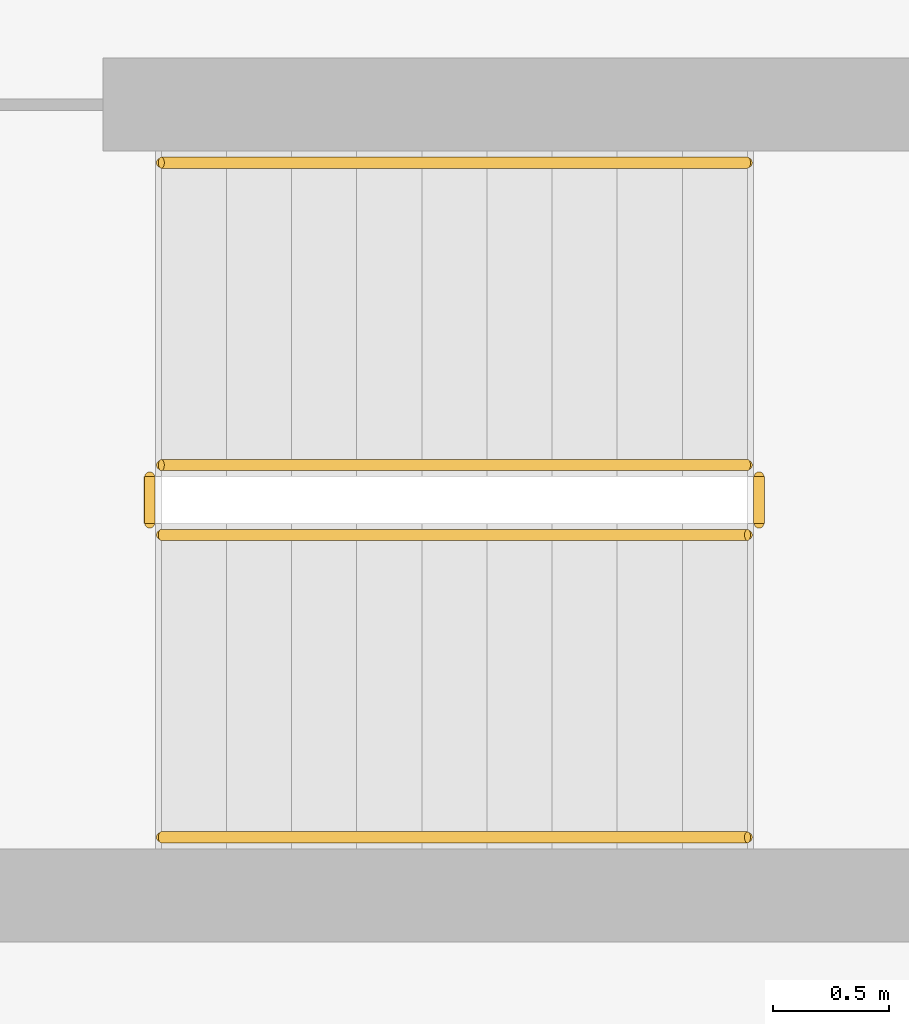
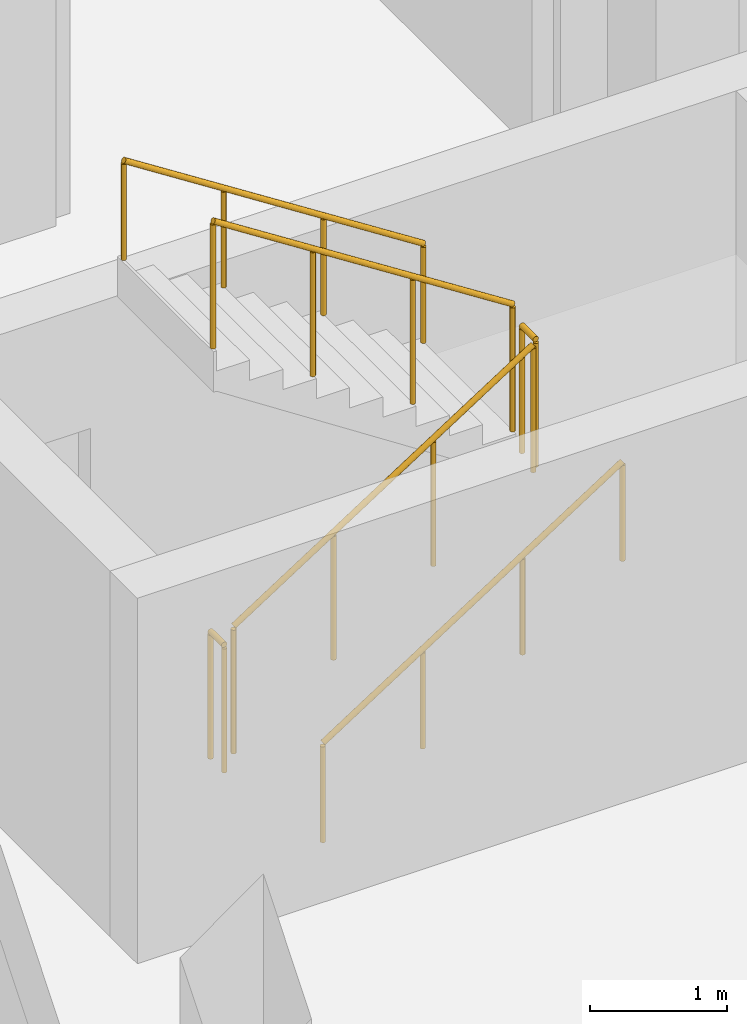
# One storey, part 8 of 11: 6 railings.
"""IFC4 building model written with IfcOpenShell, lengths in metres."""

from ifc_helpers import new_model, si_unit, direction, frame, origin, origin_2d, place, context, subcontext, project, spatial, circle, extrude, material, type_object, element, save


model = new_model("IFC4")

# Units and contexts
model_context = context("Model", 3, precision=1e-05, world=origin(), true_north=direction((0.0, 1.0)))
body_context = subcontext(model_context, "Body", "Model", "MODEL_VIEW")
ifc_project = project(units=[si_unit("LENGTHUNIT", "METRE"), si_unit("AREAUNIT", "SQUARE_METRE"), si_unit("VOLUMEUNIT", "CUBIC_METRE"), si_unit("PLANEANGLEUNIT", "RADIAN"), si_unit("MASSUNIT", "GRAM", prefix="KILO")], contexts=[model_context])

# Site, building, storey
site_placement = place(None, origin())
site = spatial("IfcSite", under=ifc_project, at=site_placement, CompositionType="ELEMENT")
building_placement = place(site_placement, origin())
building = spatial("IfcBuilding", under=site, at=building_placement, Name="Barlavira Tower and Art Museum", CompositionType="ELEMENT")
storey_placement = place(building_placement, frame((0.0, 0.0, -3.60009765625)))
storey = spatial("IfcBuildingStorey", under=building, at=storey_placement, Name="B01", CompositionType="ELEMENT", Elevation=-3.60009765625)

# Railings
ifc_material = material(Name="Brushed stainless steel", Category="steel")
railing_type_1 = type_object("IfcRailingType", Name="Interior Void and Landing Guard Railing 1150", PredefinedType="GUARDRAIL", material=ifc_material)
railing_1_placement = place(storey_placement, frame((32.070068359375, -18.25, 0.18017578125)))
element("IfcRailing", 1, at=railing_1_placement, inside=storey, type_object=railing_type_1, Name="B01 ST-M1 stair guard 1", PredefinedType="GUARDRAIL", context=body_context, shape_type="SweptSolid", body=[
    extrude(circle(Radius=0.02392578125, at=origin_2d()), frame((0.0, 0.0, 1.1259765625), z_axis=(0.841199657755, 0.0, 0.540724639528), x_axis=(0.0, 1.0, 0.0)), (0.0, 0.0, 1.0), 2.995849609375),
    extrude(circle(Radius=0.02099609375, at=origin_2d()), origin(), (0.0, 0.0, 1.0), 1.101806640625),
    extrude(circle(Radius=0.02099609375, at=origin_2d()), frame((0.840087890625, 0.0, 0.5400390625)), (0.0, 0.0, 1.0), 1.101806640625),
    extrude(circle(Radius=0.02099609375, at=origin_2d()), frame((1.679931640625, 0.0, 1.079833984375)), (0.0, 0.0, 1.0), 1.101806640625),
    extrude(circle(Radius=0.02099609375, at=origin_2d()), frame((2.52001953125, 0.0, 1.619873046875)), (0.0, 0.0, 1.0), 1.101806640625),
])
railing_2_placement = place(storey_placement, frame((34.639892578125, -18.199951171875, 1.800048828125)))
element("IfcRailing", 2, at=railing_2_placement, inside=storey, type_object=railing_type_1, Name="B01 ST-M1 stair guard 2", PredefinedType="GUARDRAIL", context=body_context, shape_type="SweptSolid", body=[
    extrude(circle(Radius=0.02392578125, at=origin_2d()), frame((0.0, 0.0, 1.1259765625), z_axis=(0.0, 1.0, 0.0), x_axis=(-1.0, 0.0, 0.0)), (0.0, 0.0, 1.0), 0.199951171875),
    extrude(circle(Radius=0.02099609375, at=origin_2d()), origin(), (0.0, 0.0, 1.0), 1.101806640625),
    extrude(circle(Radius=0.02099609375, at=origin_2d()), frame((0.0, 0.199951171875, 0.0)), (0.0, 0.0, 1.0), 1.101806640625),
])
railing_3_placement = place(storey_placement, frame((34.590087890625, -17.949951171875, 1.97998046875)))
element("IfcRailing", 3, at=railing_3_placement, inside=storey, type_object=railing_type_1, Name="B01 ST-M1 stair guard 3", PredefinedType="GUARDRAIL", context=body_context, shape_type="SweptSolid", body=[
    extrude(circle(Radius=0.02392578125, at=origin_2d()), frame((0.0, 0.0, 1.1259765625), z_axis=(-0.841162588446, 0.0, 0.540782303519), x_axis=(0.0, -1.0, 0.0)), (0.0, 0.0, 1.0), 2.995849609375),
    extrude(circle(Radius=0.02099609375, at=origin_2d()), origin(), (0.0, 0.0, 1.0), 1.101806640625),
    extrude(circle(Radius=0.02099609375, at=origin_2d()), frame((-0.840087890625, 0.0, 0.5400390625)), (0.0, 0.0, 1.0), 1.101806640625),
    extrude(circle(Radius=0.02099609375, at=origin_2d()), frame((-1.679931640625, 0.0, 1.080078125)), (0.0, 0.0, 1.0), 1.101806640625),
    extrude(circle(Radius=0.02099609375, at=origin_2d()), frame((-2.52001953125, 0.0, 1.6201171875)), (0.0, 0.0, 1.0), 1.101806640625),
])
railing_4_placement = place(storey_placement, frame((32.02001953125, -18.199951171875, 0.0)))
element("IfcRailing", 4, at=railing_4_placement, inside=storey, type_object=railing_type_1, Name="B01 ST-M1 stair guard 4", PredefinedType="GUARDRAIL", context=body_context, shape_type="SweptSolid", body=[
    extrude(circle(Radius=0.02392578125, at=origin_2d()), frame((0.0, 0.0, 1.1259765625), z_axis=(0.0, 1.0, 0.0), x_axis=(-1.0, 0.0, 0.0)), (0.0, 0.0, 1.0), 0.199951171875),
    extrude(circle(Radius=0.02099609375, at=origin_2d()), origin(), (0.0, 0.0, 1.0), 1.101806640625),
    extrude(circle(Radius=0.02099609375, at=origin_2d()), frame((0.0, 0.199951171875, 0.0)), (0.0, 0.0, 1.0), 1.101806640625),
])
railing_type_2 = type_object("IfcRailingType", Name="Stair Pitch Tubular Steel Handrail 920", PredefinedType="HANDRAIL", material=ifc_material)
railing_5_placement = place(storey_placement, frame((32.070068359375, -19.550048828125, 0.18017578125)))
element("IfcRailing", 5, at=railing_5_placement, inside=storey, type_object=railing_type_2, Name="B01 ST-M1 stair handrail 1", PredefinedType="HANDRAIL", context=body_context, shape_type="SweptSolid", body=[
    extrude(circle(Radius=0.02392578125, at=origin_2d()), frame((0.0, 0.0, 0.8759765625), z_axis=(0.841199657755, 0.0, 0.540724639528), x_axis=(0.0, 1.0, 0.0)), (0.0, 0.0, 1.0), 2.995849609375),
    extrude(circle(Radius=0.02099609375, at=origin_2d()), origin(), (0.0, 0.0, 1.0), 0.851806640625),
    extrude(circle(Radius=0.02099609375, at=origin_2d()), frame((0.840087890625, 0.0, 0.5400390625)), (0.0, 0.0, 1.0), 0.851806640625),
    extrude(circle(Radius=0.02099609375, at=origin_2d()), frame((1.679931640625, 0.0, 1.079833984375)), (0.0, 0.0, 1.0), 0.851806640625),
    extrude(circle(Radius=0.02099609375, at=origin_2d()), frame((2.52001953125, 0.0, 1.619873046875)), (0.0, 0.0, 1.0), 0.851806640625),
])
railing_6_placement = place(storey_placement, frame((34.590087890625, -16.64990234375, 1.97998046875)))
element("IfcRailing", 6, at=railing_6_placement, inside=storey, type_object=railing_type_2, Name="B01 ST-M1 stair handrail 2", PredefinedType="HANDRAIL", context=body_context, shape_type="SweptSolid", body=[
    extrude(circle(Radius=0.02392578125, at=origin_2d()), frame((0.0, 0.0, 0.8759765625), z_axis=(-0.841162588446, 0.0, 0.540782303519), x_axis=(0.0, -1.0, 0.0)), (0.0, 0.0, 1.0), 2.995849609375),
    extrude(circle(Radius=0.02099609375, at=origin_2d()), origin(), (0.0, 0.0, 1.0), 0.851806640625),
    extrude(circle(Radius=0.02099609375, at=origin_2d()), frame((-0.840087890625, 0.0, 0.5400390625)), (0.0, 0.0, 1.0), 0.851806640625),
    extrude(circle(Radius=0.02099609375, at=origin_2d()), frame((-1.679931640625, 0.0, 1.080078125)), (0.0, 0.0, 1.0), 0.851806640625),
    extrude(circle(Radius=0.02099609375, at=origin_2d()), frame((-2.52001953125, 0.0, 1.6201171875)), (0.0, 0.0, 1.0), 0.851806640625),
])

save(model, "model.ifc")
